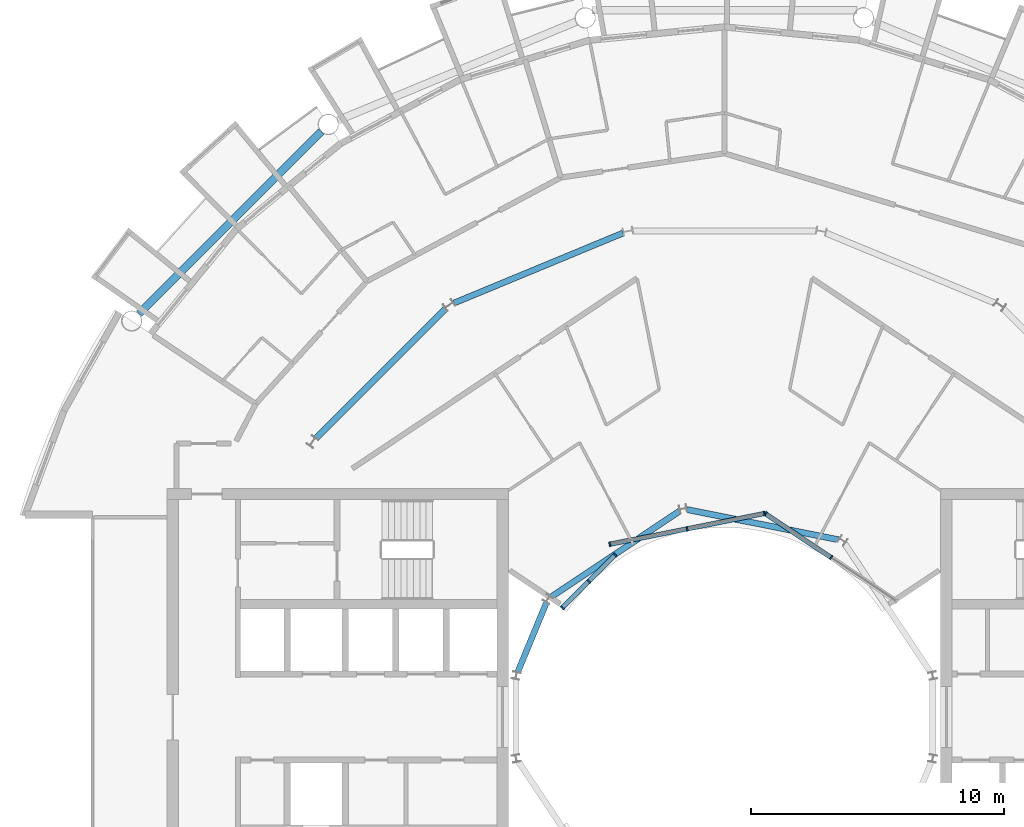
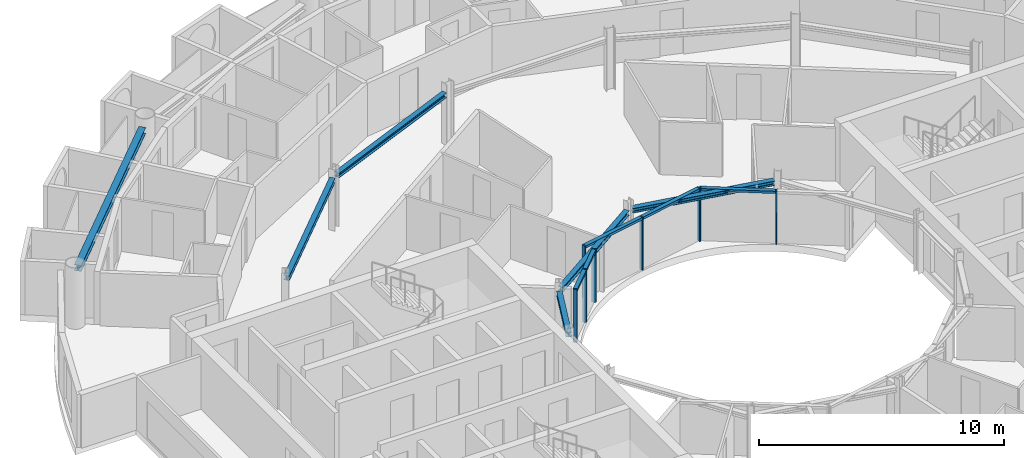
# One storey, part 9 of 28: 13 members, 6 beams, 3 elements without a shape of their own.
"""IFC4 building model written with IfcOpenShell, lengths in metres."""

from ifc_helpers import new_model, si_unit, direction, frame, origin, origin_2d, place, context, subcontext, project, spatial, rectangle, i_section, extrude, material, layer, layer_set, material_profile, profile_set, type_object, element, aggregate, save


model = new_model("IFC4")

# Units and contexts
model_context = context("Model", 3, precision=1e-05, world=origin(), true_north=direction((0.0, 1.0)))
body_context = subcontext(model_context, "Body", "Model", "MODEL_VIEW")
ifc_project = project(units=[si_unit("LENGTHUNIT", "METRE"), si_unit("AREAUNIT", "SQUARE_METRE"), si_unit("VOLUMEUNIT", "CUBIC_METRE"), si_unit("PLANEANGLEUNIT", "RADIAN"), si_unit("MASSUNIT", "GRAM", prefix="KILO")], contexts=[model_context])

# Site, building, storey
site_placement = place(None, origin())
site = spatial("IfcSite", under=ifc_project, at=site_placement, CompositionType="ELEMENT")
building_placement = place(site_placement, origin())
building = spatial("IfcBuilding", under=site, at=building_placement, Name="Maasbend Ring Residences", CompositionType="ELEMENT")
storey_placement = place(building_placement, frame((0.0, 0.0, 218.800048828125)))
storey = spatial("IfcBuildingStorey", under=building, at=storey_placement, Name="L63", CompositionType="ELEMENT", Elevation=218.800048828125)

# Curtain wall, members
ifc_material_1 = material(Name="Aluminium and clear glass", Category="aluminium")
ifc_layer = layer(ifc_material_1, 0.179931640625)
ifc_layer_set = layer_set([ifc_layer], Name="CW-W")
curtain_wall_type = type_object("IfcCurtainWallType", Name="CW-W", PredefinedType="NOTDEFINED", material=ifc_layer_set)
curtain_wall_1_placement = place(storey_placement, origin())
curtain_wall_1 = element("IfcCurtainWall", 1, at=curtain_wall_1_placement, inside=storey, type_object=curtain_wall_type, Name="Well curtain wall N1", PredefinedType="NOTDEFINED")
ifc_material_2 = material(Name="Aluminium 6063-T6", Category="aluminium")
ifc_material_profile_1 = material_profile(ifc_material_2, rectangle(XDim=0.179931640625, YDim=0.06005859375, at=origin_2d()), Name="AL 180x60")
ifc_profile_set_1 = profile_set([ifc_material_profile_1], Name="Aluminium 6063-T6")
member_type_1 = type_object("IfcMemberType", Name="CWM-W", PredefinedType="MULLION", material=ifc_profile_set_1)
member_1_placement = place(storey_placement, frame((4.216796875, 6.310791015625, 0.0), z_axis=(0.0, 0.0, 1.0), x_axis=(-0.55557023302, -0.831469612303, 0.0)))
member_1 = element("IfcMember", 2, at=member_1_placement, type_object=member_type_1, Name="Mullion well face", PredefinedType="MULLION", context=body_context, shape_type="SweptSolid", body=[
    extrude(rectangle(XDim=0.179931640625, YDim=0.06005859375, at=origin_2d()), origin(), (0.0, 0.0, 1.0), 2.64990234375),
])
member_2_placement = place(storey_placement, frame((1.627685546875, 8.040771484375, 0.0), z_axis=(0.0, 0.0, 1.0), x_axis=(-0.55557023302, -0.831469612303, 0.0)))
member_2 = element("IfcMember", 3, at=member_2_placement, type_object=member_type_1, Name="Mullion well face", PredefinedType="MULLION", context=body_context, shape_type="SweptSolid", body=[
    extrude(rectangle(XDim=0.179931640625, YDim=0.06005859375, at=origin_2d()), origin(), (0.0, 0.0, 1.0), 2.64990234375),
])

curtain_wall_2_placement = place(storey_placement, origin())
curtain_wall_2 = element("IfcCurtainWall", 4, at=curtain_wall_2_placement, inside=storey, type_object=curtain_wall_type, Name="Well curtain wall N2", PredefinedType="NOTDEFINED")
member_3_placement = place(storey_placement, frame((1.5732421875, 8.0517578125, 0.0), z_axis=(0.0, 0.0, 1.0), x_axis=(0.195090322016, -0.980785280403, 0.0)))
member_3 = element("IfcMember", 5, at=member_3_placement, type_object=member_type_1, Name="Mullion well face", PredefinedType="MULLION", context=body_context, shape_type="SweptSolid", body=[
    extrude(rectangle(XDim=0.179931640625, YDim=0.06005859375, at=origin_2d()), origin(), (0.0, 0.0, 1.0), 2.64990234375),
])
member_4_placement = place(storey_placement, frame((-1.480712890625, 7.444091796875, 0.0), z_axis=(0.0, 0.0, 1.0), x_axis=(0.195090322016, -0.980785280403, 0.0)))
member_4 = element("IfcMember", 6, at=member_4_placement, type_object=member_type_1, Name="Mullion well face", PredefinedType="MULLION", context=body_context, shape_type="SweptSolid", body=[
    extrude(rectangle(XDim=0.179931640625, YDim=0.06005859375, at=origin_2d()), origin(), (0.0, 0.0, 1.0), 2.64990234375),
])
member_5_placement = place(storey_placement, frame((-4.53466796875, 6.836669921875, 0.0), z_axis=(0.0, 0.0, 1.0), x_axis=(0.195090322016, -0.980785280403, 0.0)))
member_5 = element("IfcMember", 7, at=member_5_placement, type_object=member_type_1, Name="Mullion well face", PredefinedType="MULLION", context=body_context, shape_type="SweptSolid", body=[
    extrude(rectangle(XDim=0.179931640625, YDim=0.06005859375, at=origin_2d()), origin(), (0.0, 0.0, 1.0), 2.64990234375),
])

curtain_wall_3_placement = place(storey_placement, origin())
curtain_wall_3 = element("IfcCurtainWall", 8, at=curtain_wall_3_placement, inside=storey, type_object=curtain_wall_type, Name="Well curtain wall N3", PredefinedType="NOTDEFINED")
member_6_placement = place(storey_placement, frame((-4.320556640625, 6.413330078125, 0.0), z_axis=(0.0, 0.0, 1.0), x_axis=(0.707106781187, -0.707106781187, 0.0)))
member_6 = element("IfcMember", 9, at=member_6_placement, type_object=member_type_1, Name="Mullion well face", PredefinedType="MULLION", context=body_context, shape_type="SweptSolid", body=[
    extrude(rectangle(XDim=0.179931640625, YDim=0.06005859375, at=origin_2d()), origin(), (0.0, 0.0, 1.0), 2.64990234375),
])
member_7_placement = place(storey_placement, frame((-5.366943359375, 5.366943359375, 0.0), z_axis=(0.0, 0.0, 1.0), x_axis=(0.707106781187, -0.707106781187, 0.0)))
member_7 = element("IfcMember", 10, at=member_7_placement, type_object=member_type_1, Name="Mullion well face", PredefinedType="MULLION", context=body_context, shape_type="SweptSolid", body=[
    extrude(rectangle(XDim=0.179931640625, YDim=0.06005859375, at=origin_2d()), origin(), (0.0, 0.0, 1.0), 2.64990234375),
])
member_8_placement = place(storey_placement, frame((-6.413330078125, 4.320556640625, 0.0), z_axis=(0.0, 0.0, 1.0), x_axis=(0.707106781187, -0.707106781187, 0.0)))
member_8 = element("IfcMember", 11, at=member_8_placement, type_object=member_type_1, Name="Mullion well face", PredefinedType="MULLION", context=body_context, shape_type="SweptSolid", body=[
    extrude(rectangle(XDim=0.179931640625, YDim=0.06005859375, at=origin_2d()), origin(), (0.0, 0.0, 1.0), 2.64990234375),
])

# Member
ifc_material_3 = material(Name="Aluminium 6063-T6", Category="aluminium")
ifc_material_profile_2 = material_profile(ifc_material_3, rectangle(XDim=0.179931640625, YDim=0.1201171875, at=origin_2d()), Name="AL 180x120")
ifc_profile_set_2 = profile_set([ifc_material_profile_2], Name="Aluminium 6063-T6")
member_type_2 = type_object("IfcMemberType", Name="CWT-W", PredefinedType="USERDEFINED", material=ifc_profile_set_2)
member_9_placement = place(storey_placement, frame((4.19189453125, 6.32763671875, 2.58984375), z_axis=(-0.831496422459, 0.555530106689, 0.0), x_axis=(-0.555530106689, -0.831496422459, 0.0)))
member_9 = element("IfcMember", 12, at=member_9_placement, type_object=member_type_2, Name="Transom well face", ObjectType="TRANSOM", PredefinedType="USERDEFINED", context=body_context, shape_type="SweptSolid", body=[
    extrude(rectangle(XDim=0.179931640625, YDim=0.1201171875, at=origin_2d()), origin(), (0.0, 0.0, 1.0), 3.053955078125),
])

aggregate(curtain_wall_1, [member_1, member_2, member_9])

member_10_placement = place(storey_placement, frame((1.5439453125, 8.0458984375, 2.58984375), z_axis=(-0.980776956105, -0.195132166424, 0.0), x_axis=(0.195132166424, -0.980776956105, 0.0)))
member_10 = element("IfcMember", 13, at=member_10_placement, type_object=member_type_2, Name="Transom well face", ObjectType="TRANSOM", PredefinedType="USERDEFINED", context=body_context, shape_type="SweptSolid", body=[
    extrude(rectangle(XDim=0.179931640625, YDim=0.1201171875, at=origin_2d()), origin(), (0.0, 0.0, 1.0), 3.053955078125),
])

member_11_placement = place(storey_placement, frame((-1.51025390625, 7.438232421875, 2.58984375), z_axis=(-0.980789210404, -0.19507056353, 0.0), x_axis=(0.19507056353, -0.980789210404, 0.0)))
member_11 = element("IfcMember", 14, at=member_11_placement, type_object=member_type_2, Name="Transom well face", ObjectType="TRANSOM", PredefinedType="USERDEFINED", context=body_context, shape_type="SweptSolid", body=[
    extrude(rectangle(XDim=0.179931640625, YDim=0.1201171875, at=origin_2d()), origin(), (0.0, 0.0, 1.0), 3.0537109375),
])

aggregate(curtain_wall_2, [member_3, member_4, member_5, member_10, member_11])

member_12_placement = place(storey_placement, frame((-4.341796875, 6.39208984375, 2.58984375), z_axis=(-0.707106781187, -0.707106781187, 0.0), x_axis=(0.707106781187, -0.707106781187, 0.0)))
member_12 = element("IfcMember", 15, at=member_12_placement, type_object=member_type_2, Name="Transom well face", ObjectType="TRANSOM", PredefinedType="USERDEFINED", context=body_context, shape_type="SweptSolid", body=[
    extrude(rectangle(XDim=0.179931640625, YDim=0.1201171875, at=origin_2d()), origin(), (0.0, 0.0, 1.0), 1.419677734375),
])

member_13_placement = place(storey_placement, frame((-5.38818359375, 5.345703125, 2.58984375), z_axis=(-0.707106781187, -0.707106781187, 0.0), x_axis=(0.707106781187, -0.707106781187, 0.0)))
member_13 = element("IfcMember", 16, at=member_13_placement, type_object=member_type_2, Name="Transom well face", ObjectType="TRANSOM", PredefinedType="USERDEFINED", context=body_context, shape_type="SweptSolid", body=[
    extrude(rectangle(XDim=0.179931640625, YDim=0.1201171875, at=origin_2d()), origin(), (0.0, 0.0, 1.0), 1.419677734375),
])

aggregate(curtain_wall_3, [member_6, member_7, member_8, member_12, member_13])

# Beams
ifc_material_4 = material(Name="Steel S355J2", Category="steel")
ifc_material_profile_3 = material_profile(ifc_material_4, i_section(OverallWidth=0.239990234375, OverallDepth=0.22998046875, WebThickness=0.007568359375, FlangeThickness=0.011962890625, FilletRadius=0.02099609375, at=origin_2d()), Name="HEA 240")
ifc_profile_set_3 = profile_set([ifc_material_profile_3], Name="Steel S355J2")
beam_type_1 = type_object("IfcBeamType", Name="Corridor ring beam HEA 240", PredefinedType="BEAM", material=ifc_profile_set_3)
beam_1_placement = place(storey_placement, frame((-4.01220703125, 19.1455078125, 2.534912109375), z_axis=(-0.923865162022, -0.382718123952, 0.0), x_axis=(0.382718123952, -0.923865162022, 0.0)))
element("IfcBeam", 17, at=beam_1_placement, inside=storey, type_object=beam_type_1, Name="Corridor ring beam", PredefinedType="BEAM", context=body_context, shape_type="SweptSolid", body=[
    extrude(i_section(OverallWidth=0.239990234375, OverallDepth=0.22998046875, WebThickness=0.007568359375, FlangeThickness=0.011962890625, FilletRadius=0.02099609375, at=origin_2d()), origin(), (0.0, 0.0, 1.0), 7.23974609375),
])
beam_2_placement = place(storey_placement, frame((-11.033447265625, 16.152587890625, 2.534912109375), z_axis=(-0.707106781187, -0.707106781187, 0.0), x_axis=(0.707106781187, -0.707106781187, 0.0)))
element("IfcBeam", 18, at=beam_2_placement, inside=storey, type_object=beam_type_1, Name="Corridor ring beam", PredefinedType="BEAM", context=body_context, shape_type="SweptSolid", body=[
    extrude(i_section(OverallWidth=0.239990234375, OverallDepth=0.22998046875, WebThickness=0.007568359375, FlangeThickness=0.011962890625, FilletRadius=0.02099609375, at=origin_2d()), origin(), (0.0, 0.0, 1.0), 7.239501953125),
])
ifc_material_5 = material(Name="Steel S355J2", Category="steel")
ifc_material_profile_4 = material_profile(ifc_material_5, i_section(OverallWidth=0.300048828125, OverallDepth=0.300048828125, WebThickness=0.010986328125, FlangeThickness=0.01904296875, FilletRadius=0.027099609375, at=origin_2d()), Name="HEB 300")
ifc_profile_set_4 = profile_set([ifc_material_profile_4], Name="Steel S355J2")
beam_type_2 = type_object("IfcBeamType", Name="Spandrel ring beam HEB 300", PredefinedType="SPANDREL", material=ifc_profile_set_4)
beam_3_placement = place(storey_placement, frame((-15.95458984375, 23.159912109375, 2.5), z_axis=(-0.707106781187, -0.707106781187, 0.0), x_axis=(0.707106781187, -0.707106781187, 0.0)))
element("IfcBeam", 19, at=beam_3_placement, inside=storey, type_object=beam_type_2, Name="Spandrel ring beam", PredefinedType="SPANDREL", context=body_context, shape_type="SweptSolid", body=[
    extrude(i_section(OverallWidth=0.300048828125, OverallDepth=0.300048828125, WebThickness=0.010986328125, FlangeThickness=0.01904296875, FilletRadius=0.027099609375, at=origin_2d()), origin(), (0.0, 0.0, 1.0), 10.18994140625),
])
ifc_material_6 = material(Name="Steel S355J2", Category="steel")
ifc_material_profile_5 = material_profile(ifc_material_6, i_section(OverallWidth=0.239990234375, OverallDepth=0.22998046875, WebThickness=0.007568359375, FlangeThickness=0.011962890625, FilletRadius=0.02099609375, at=origin_2d()), Name="HEA 240")
ifc_profile_set_5 = profile_set([ifc_material_profile_5], Name="Steel S355J2")
beam_type_3 = type_object("IfcBeamType", Name="Well edge beam HEA 240", PredefinedType="BEAM", material=ifc_profile_set_5)
for number, where, z_axis, x_axis, name in (
    (20, (4.512939453125, 7.014892578125, 2.534912109375), (-0.980782836869, 0.195102606089, 0.0), (-0.195102606089, -0.980782836869, 0.0), "Well edge beam"),
    (21, (-1.769287109375, 8.1513671875, 2.534912109375), (-0.831460175376, -0.555584356119, 0.0), (0.555584356119, -0.831460175376, 0.0), "Well edge beam"),
):
    element("IfcBeam", number, at=place(storey_placement, frame(where, z_axis=z_axis, x_axis=x_axis)), inside=storey, type_object=beam_type_3, Name=name, PredefinedType="BEAM", context=body_context, shape_type="SweptSolid", body=[
        extrude(i_section(OverallWidth=0.239990234375, OverallDepth=0.22998046875, WebThickness=0.007568359375, FlangeThickness=0.011962890625, FilletRadius=0.02099609375, at=origin_2d()), origin(), (0.0, 0.0, 1.0), 6.115234375),
    ])
beam_4_placement = place(storey_placement, frame((-7.041015625, 4.5302734375, 2.534912109375), z_axis=(-0.382614534057, -0.923908068115, 0.0), x_axis=(0.923908068115, -0.382614534057, 0.0)))
element("IfcBeam", 22, at=beam_4_placement, inside=storey, type_object=beam_type_3, Name="Well edge beam", PredefinedType="BEAM", context=body_context, shape_type="SweptSolid", body=[
    extrude(i_section(OverallWidth=0.239990234375, OverallDepth=0.22998046875, WebThickness=0.007568359375, FlangeThickness=0.011962890625, FilletRadius=0.02099609375, at=origin_2d()), origin(), (0.0, 0.0, 1.0), 2.981689453125),
])

save(model, "model.ifc")
